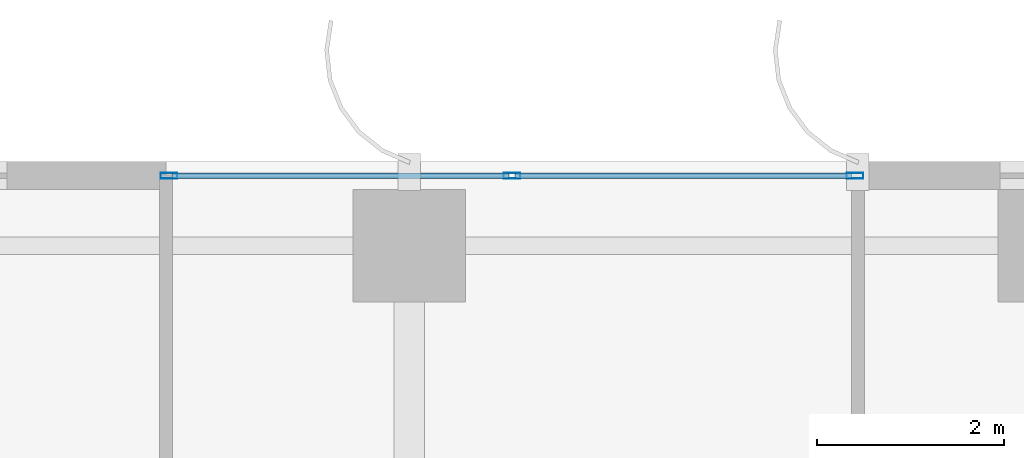
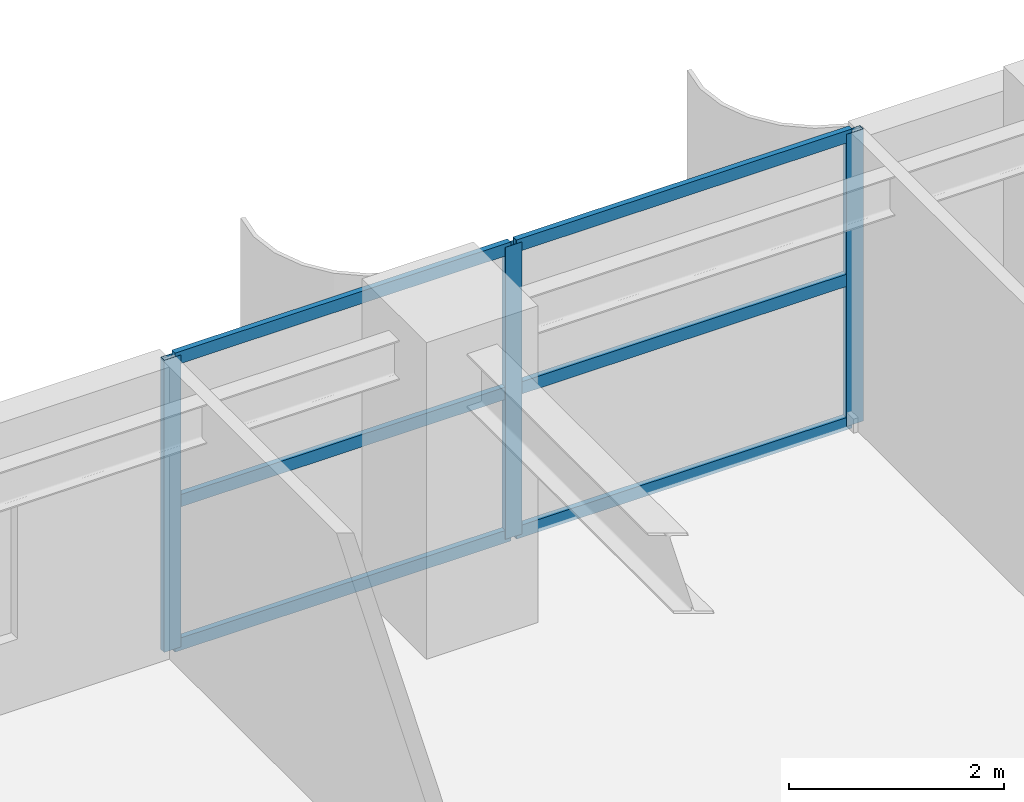
# One storey, part 14 of 25: 9 members, 1 element without a shape of its own.
"""IFC4 building model written with IfcOpenShell, lengths in metres."""

from ifc_helpers import new_model, si_unit, direction, frame, origin, origin_2d, place, context, subcontext, project, spatial, hollow_rectangle, extrude, source, transform, mapped, material, layer, layer_set, material_profile, profile_set, type_object, element, aggregate, save


model = new_model("IFC4")

# Units and contexts
model_context = context("Model", 3, precision=1e-05, world=origin(), true_north=direction((0.0, 1.0)))
body_context = subcontext(model_context, "Body", "Model", "MODEL_VIEW")
ifc_project = project(units=[si_unit("LENGTHUNIT", "METRE"), si_unit("AREAUNIT", "SQUARE_METRE"), si_unit("VOLUMEUNIT", "CUBIC_METRE"), si_unit("PLANEANGLEUNIT", "RADIAN"), si_unit("MASSUNIT", "GRAM", prefix="KILO")], contexts=[model_context])

# Site, building, storey
site_placement = place(None, origin())
site = spatial("IfcSite", under=ifc_project, at=site_placement, CompositionType="ELEMENT")
building_placement = place(site_placement, origin())
building = spatial("IfcBuilding", under=site, at=building_placement, Name="Khoralis Quay Care Tower", CompositionType="ELEMENT")
storey_placement = place(building_placement, frame((0.0, 0.0, 51.300048828125)))
storey = spatial("IfcBuildingStorey", under=building, at=storey_placement, Name="L13", CompositionType="ELEMENT", Elevation=51.300048828125)

# Curtain wall, members
ifc_material = material(Name="Pale anodised aluminium", Category="aluminium")
ifc_layer = layer(ifc_material, 0.179931640625)
ifc_layer_set = layer_set([ifc_layer], Name="Pale anodised aluminium")
curtain_wall_type = type_object("IfcCurtainWallType", Name="CW-SYS-Z1", PredefinedType="NOTDEFINED", material=ifc_layer_set)
curtain_wall_placement = place(storey_placement, origin())
curtain_wall = element("IfcCurtainWall", 1, at=curtain_wall_placement, inside=storey, type_object=curtain_wall_type, Name="L13 Unitised Curtain Wall CW-L13-P1-E10", PredefinedType="NOTDEFINED")
ifc_material_profile_1 = material_profile(ifc_material, hollow_rectangle(XDim=0.06494140625, YDim=0.179931640625, WallThickness=0.00390625, at=origin_2d()), Name="Pale anodised aluminium")
ifc_profile_set_1 = profile_set([ifc_material_profile_1], Name="Pale anodised aluminium")
member_type_1 = type_object("IfcMemberType", Name="CW-MUL-180", PredefinedType="MULLION", material=ifc_profile_set_1)
shared_shape_1 = source(origin(), body_context, "Body", "SweptSolid", [
    extrude(hollow_rectangle(XDim=0.06494140625, YDim=0.179931640625, WallThickness=0.00390625, at=origin_2d()), origin(), (0.0, 0.0, 1.0), 3.320068359375),
])
member_1_placement = place(storey_placement, frame((28.77001953125, 47.85009765625, 0.0), z_axis=(0.0, 0.0, 1.0), x_axis=(0.0, -1.0, 0.0)))
member_1 = element("IfcMember", 2, at=member_1_placement, type_object=member_type_1, Name="CW1 mullion 1", PredefinedType="MULLION", context=body_context, shape_type="MappedRepresentation", body=[
    mapped(shared_shape_1, transform((0.0, 0.0, 0.0), scale=1.0)),
])
member_2_placement = place(storey_placement, frame((25.10009765625, 47.85009765625, 0.0), z_axis=(0.0, 0.0, 1.0), x_axis=(0.0, -1.0, 0.0)))
member_2 = element("IfcMember", 3, at=member_2_placement, type_object=member_type_1, Name="CW1 mullion 2", PredefinedType="MULLION", context=body_context, shape_type="MappedRepresentation", body=[
    mapped(shared_shape_1, transform((0.0, 0.0, 0.0), scale=1.0)),
])
member_3_placement = place(storey_placement, frame((21.429931640625, 47.85009765625, 0.0), z_axis=(0.0, 0.0, 1.0), x_axis=(0.0, -1.0, 0.0)))
member_3 = element("IfcMember", 4, at=member_3_placement, type_object=member_type_1, Name="CW1 mullion 3", PredefinedType="MULLION", context=body_context, shape_type="MappedRepresentation", body=[
    mapped(shared_shape_1, transform((0.0, 0.0, 0.0), scale=1.0)),
])
ifc_material_profile_2 = material_profile(ifc_material, hollow_rectangle(XDim=0.06005859375, YDim=0.139892578125, WallThickness=0.00390625, at=origin_2d()), Name="Pale anodised aluminium")
ifc_profile_set_2 = profile_set([ifc_material_profile_2], Name="Pale anodised aluminium")
member_type_2 = type_object("IfcMemberType", Name="CW-TRN-140", PredefinedType="USERDEFINED", material=ifc_profile_set_2)
shared_shape_2 = source(origin(), body_context, "Body", "SweptSolid", [
    extrude(hollow_rectangle(XDim=0.06005859375, YDim=0.139892578125, WallThickness=0.00390625, at=origin_2d()), origin(), (0.0, 0.0, 1.0), 3.610107421875),
])
member_4_placement = place(storey_placement, frame((28.739990234375, 47.85009765625, 0.030029296875), z_axis=(-1.0, 0.0, 0.0), x_axis=(0.0, -1.0, 0.0)))
member_4 = element("IfcMember", 5, at=member_4_placement, type_object=member_type_2, Name="CW1 transom 1.1", ObjectType="TRANSOM", PredefinedType="USERDEFINED", context=body_context, shape_type="MappedRepresentation", body=[
    mapped(shared_shape_2, transform((0.0, 0.0, 0.0), scale=1.0)),
])
member_5_placement = place(storey_placement, frame((28.739990234375, 47.85009765625, 1.659912109375), z_axis=(-1.0, 0.0, 0.0), x_axis=(0.0, -1.0, 0.0)))
member_5 = element("IfcMember", 6, at=member_5_placement, type_object=member_type_2, Name="CW1 transom 1.2", ObjectType="TRANSOM", PredefinedType="USERDEFINED", context=body_context, shape_type="MappedRepresentation", body=[
    mapped(shared_shape_2, transform((0.0, 0.0, 0.0), scale=1.0)),
])
member_6_placement = place(storey_placement, frame((28.739990234375, 47.85009765625, 3.2900390625), z_axis=(-1.0, 0.0, 0.0), x_axis=(0.0, -1.0, 0.0)))
member_6 = element("IfcMember", 7, at=member_6_placement, type_object=member_type_2, Name="CW1 transom 1.3", ObjectType="TRANSOM", PredefinedType="USERDEFINED", context=body_context, shape_type="MappedRepresentation", body=[
    mapped(shared_shape_2, transform((0.0, 0.0, 0.0), scale=1.0)),
])
member_7_placement = place(storey_placement, frame((25.070068359375, 47.85009765625, 0.030029296875), z_axis=(-1.0, 0.0, 0.0), x_axis=(0.0, -1.0, 0.0)))
member_7 = element("IfcMember", 8, at=member_7_placement, type_object=member_type_2, Name="CW1 transom 2.1", ObjectType="TRANSOM", PredefinedType="USERDEFINED", context=body_context, shape_type="MappedRepresentation", body=[
    mapped(shared_shape_2, transform((0.0, 0.0, 0.0), scale=1.0)),
])
member_8_placement = place(storey_placement, frame((25.070068359375, 47.85009765625, 1.659912109375), z_axis=(-1.0, 0.0, 0.0), x_axis=(0.0, -1.0, 0.0)))
member_8 = element("IfcMember", 9, at=member_8_placement, type_object=member_type_2, Name="CW1 transom 2.2", ObjectType="TRANSOM", PredefinedType="USERDEFINED", context=body_context, shape_type="MappedRepresentation", body=[
    mapped(shared_shape_2, transform((0.0, 0.0, 0.0), scale=1.0)),
])
member_9_placement = place(storey_placement, frame((25.070068359375, 47.85009765625, 3.2900390625), z_axis=(-1.0, 0.0, 0.0), x_axis=(0.0, -1.0, 0.0)))
member_9 = element("IfcMember", 10, at=member_9_placement, type_object=member_type_2, Name="CW1 transom 2.3", ObjectType="TRANSOM", PredefinedType="USERDEFINED", context=body_context, shape_type="MappedRepresentation", body=[
    mapped(shared_shape_2, transform((0.0, 0.0, 0.0), scale=1.0)),
])
aggregate(curtain_wall, [member_1, member_2, member_3, member_4, member_5, member_6, member_7, member_8, member_9])

save(model, "model.ifc")
